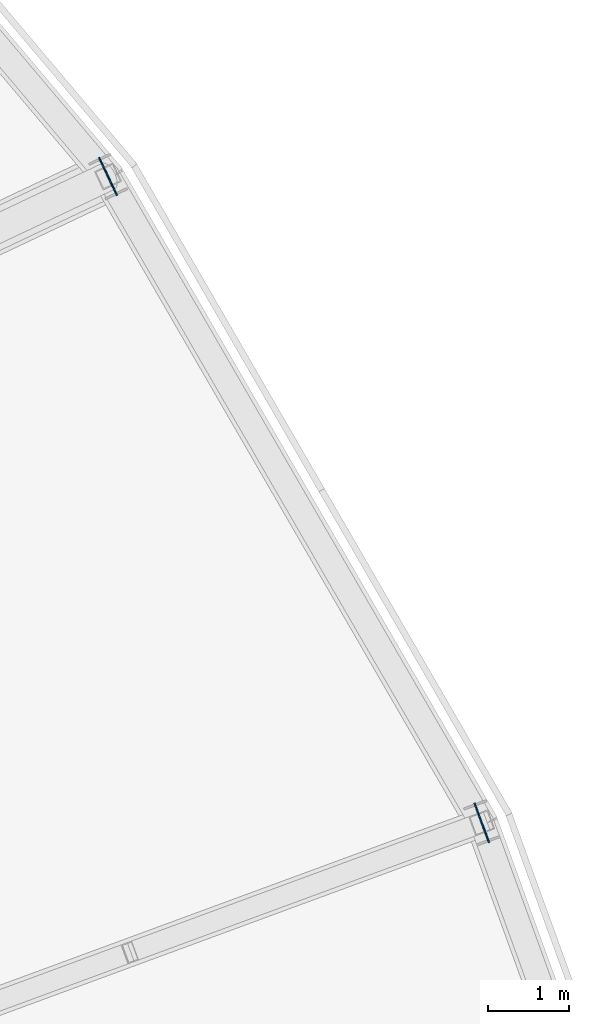
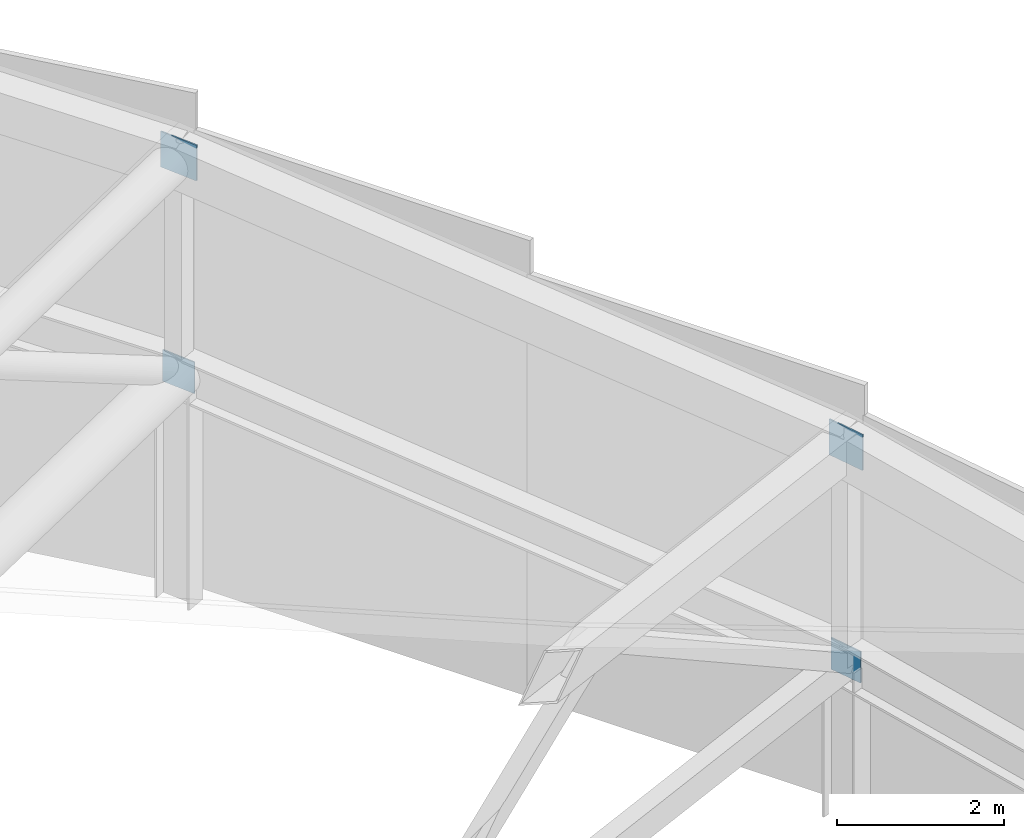
# One storey, part 130 of 143: 4 plates.
"""IFC4 building model written with IfcOpenShell, lengths in metres."""

from ifc_helpers import new_model, si_unit, direction, frame, origin, origin_2d, place, context, subcontext, project, spatial, rectangle, extrude, material, layer, layer_set, type_object, element, save


model = new_model("IFC4")

# Units and contexts
model_context = context("Model", 3, precision=1e-05, world=origin(), true_north=direction((0.0, 1.0)))
body_context = subcontext(model_context, "Body", "Model", "MODEL_VIEW")
ifc_project = project(units=[si_unit("LENGTHUNIT", "METRE"), si_unit("AREAUNIT", "SQUARE_METRE"), si_unit("VOLUMEUNIT", "CUBIC_METRE"), si_unit("PLANEANGLEUNIT", "RADIAN"), si_unit("MASSUNIT", "GRAM", prefix="KILO")], contexts=[model_context])

# Site, building, storey
site_placement = place(None, origin())
site = spatial("IfcSite", under=ifc_project, at=site_placement, CompositionType="ELEMENT")
building_placement = place(site_placement, origin())
building = spatial("IfcBuilding", under=site, at=building_placement, Name="Mphavela Belvedere Stadium", CompositionType="ELEMENT")
storey_placement = place(building_placement, frame((0.0, 0.0, 28.800048828125)))
storey = spatial("IfcBuildingStorey", under=building, at=storey_placement, Name="RF", CompositionType="ELEMENT", Elevation=28.800048828125)

# Plates
ifc_material_1 = material(Name="Steel S355", Category="steel")
ifc_layer_1 = layer(ifc_material_1, 0.01806640625)
ifc_layer_set_1 = layer_set([ifc_layer_1], Name="Steel S355")
plate_type_1 = type_object("IfcPlateType", Name="PLT-CAP-TRUSS-BC", PredefinedType="USERDEFINED", material=ifc_layer_set_1)
for number, where, z_axis, x_axis, name in (
    (1, (211.856201171875, 122.682373046875, 2.0869140625), (0.0, 0.0, 1.0), (0.938372433776, 0.34562577382, 0.0), "Roof truss RT-04 hollow-end cap plate out_bc"),
    (2, (207.242431640625, 130.66162109375, 3.0810546875), (0.0, 0.0, 1.0), (0.903858661687, 0.4278311813, 0.0), "Roof truss RT-05 hollow-end cap plate out_bc"),
):
    element("IfcPlate", number, at=place(storey_placement, frame(where, z_axis=z_axis, x_axis=x_axis)), inside=storey, type_object=plate_type_1, Name=name, ObjectType="GUSSET_PLATE", PredefinedType="USERDEFINED", context=body_context, shape_type="SweptSolid", body=[
        extrude(rectangle(XDim=0.01806640625, YDim=0.4599609375, at=origin_2d()), origin(), (0.0, 0.0, 1.0), 0.4599609375),
    ])
ifc_material_2 = material(Name="Steel S355", Category="steel")
ifc_layer_2 = layer(ifc_material_2, 0.02001953125)
ifc_layer_set_2 = layer_set([ifc_layer_2], Name="Steel S355")
plate_type_2 = type_object("IfcPlateType", Name="PLT-CAP-TRUSS-TC", PredefinedType="USERDEFINED", material=ifc_layer_set_2)
for number, where, z_axis, x_axis, name in (
    (3, (211.856201171875, 122.682373046875, 5.206787109375), (0.0, 0.0, 1.0), (0.938372433776, 0.34562577382, 0.0), "Roof truss RT-04 hollow-end cap plate out_tc"),
    (4, (207.242431640625, 130.66162109375, 6.200927734375), (0.0, 0.0, 1.0), (0.903858661687, 0.4278311813, 0.0), "Roof truss RT-05 hollow-end cap plate out_tc"),
):
    element("IfcPlate", number, at=place(storey_placement, frame(where, z_axis=z_axis, x_axis=x_axis)), inside=storey, type_object=plate_type_2, Name=name, ObjectType="GUSSET_PLATE", PredefinedType="USERDEFINED", context=body_context, shape_type="SweptSolid", body=[
        extrude(rectangle(XDim=0.02001953125, YDim=0.52001953125, at=origin_2d()), origin(), (0.0, 0.0, 1.0), 0.52001953125),
    ])

save(model, "model.ifc")
